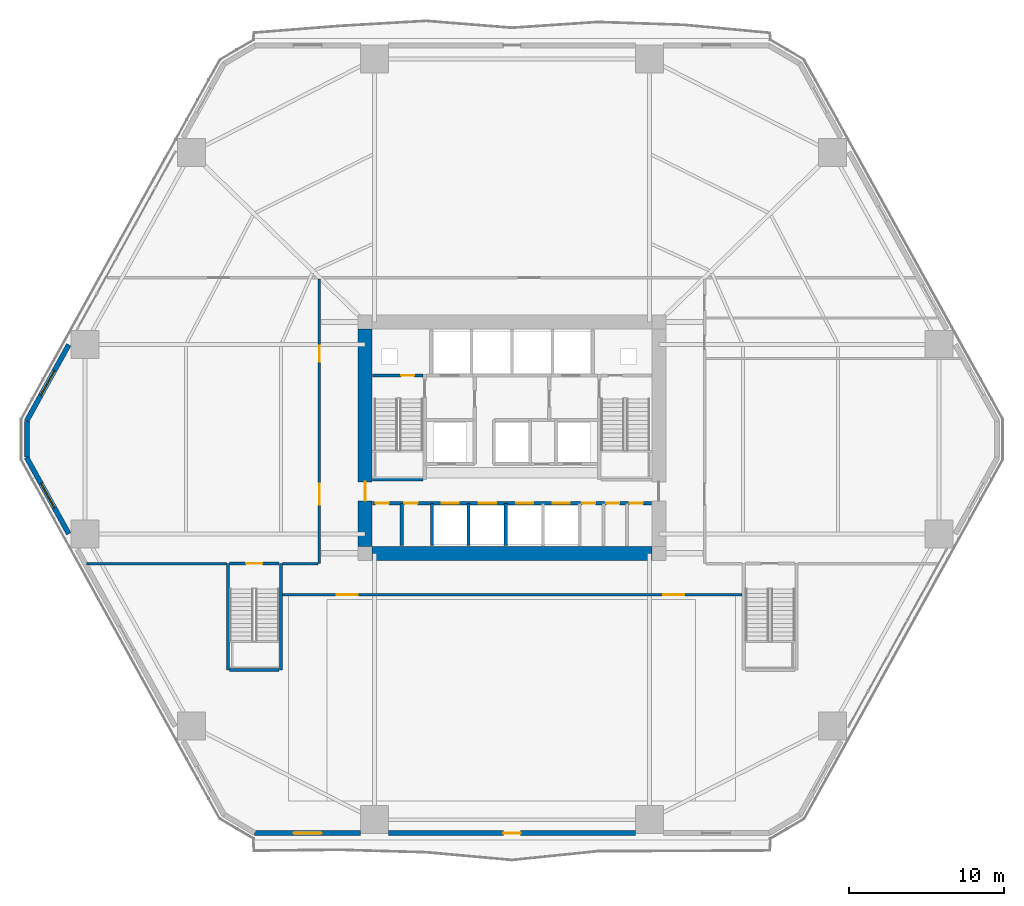
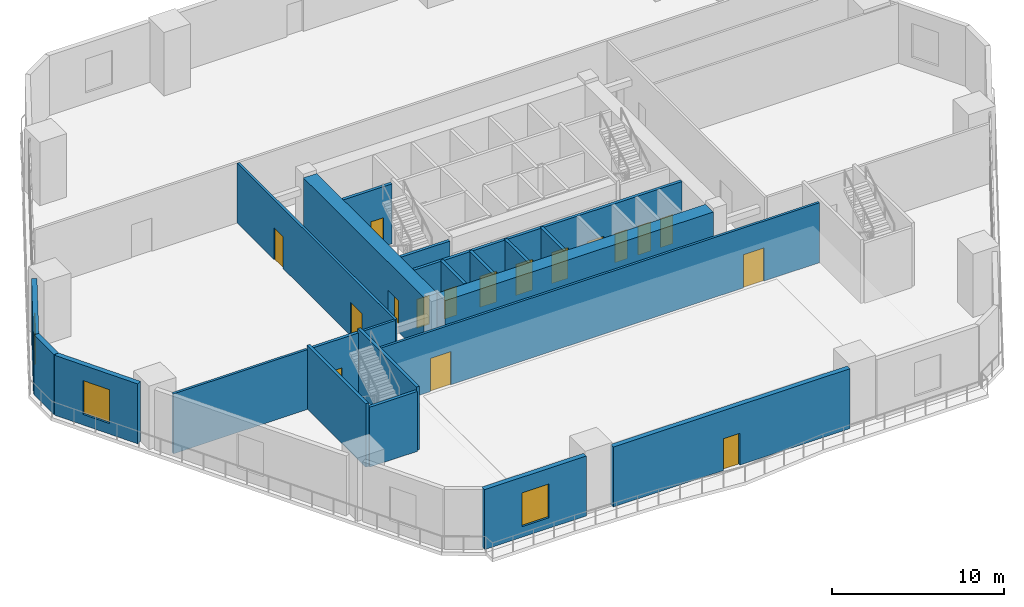
# One storey, part 9 of 18: 22 walls, 17 doors, 3 windows, 20 openings.
"""IFC4 building model written with IfcOpenShell, lengths in metres."""

from ifc_helpers import new_model, si_unit, direction, frame, frame_2d, origin, place, context, subcontext, project, spatial, rectangle, extrude, material, layer, layer_set, type_object, element, fill, save


model = new_model("IFC4")

# Units and contexts
model_context = context("Model", 3, precision=1e-05, world=origin(), true_north=direction((0.0, 1.0)))
body_context = subcontext(model_context, "Body", "Model", "MODEL_VIEW")
ifc_project = project(units=[si_unit("LENGTHUNIT", "METRE"), si_unit("AREAUNIT", "SQUARE_METRE"), si_unit("VOLUMEUNIT", "CUBIC_METRE"), si_unit("PLANEANGLEUNIT", "RADIAN"), si_unit("MASSUNIT", "GRAM", prefix="KILO")], contexts=[model_context])

# Site, building, storey
site_placement = place(None, origin())
site = spatial("IfcSite", under=ifc_project, at=site_placement, CompositionType="ELEMENT")
building_placement = place(site_placement, origin())
building = spatial("IfcBuilding", under=site, at=building_placement, Name="Cinnabar Lancet Tower", CompositionType="ELEMENT")
storey_placement = place(building_placement, frame((0.0, 0.0, 10.5)))
storey = spatial("IfcBuildingStorey", under=building, at=storey_placement, Name="L02", CompositionType="ELEMENT", Elevation=10.5)

# Wall, openings, doors
ifc_material_1 = material(Name="Acoustic twin-stud gypsum partition", Category="gypsum")
ifc_layer_1 = layer(ifc_material_1, 0.159912109375)
ifc_layer_set_1 = layer_set([ifc_layer_1], Name="Acoustic twin-stud gypsum partition")
wall_type_1 = type_object("IfcWallType", Name="ARC-WL-CORR-160", PredefinedType="PARTITIONING", material=ifc_layer_set_1)
wall_1_placement = place(storey_placement, frame((17.625, 15.800048828125, 0.0), z_axis=(0.0, 0.0, 1.0), x_axis=(1.0, 0.0, 0.0)))
wall_1 = element("IfcWall", 1, at=wall_1_placement, inside=storey, type_object=wall_type_1, Name="PW-L02-SHL", PredefinedType="PARTITIONING", context=body_context, shape_type="SweptSolid", body=[
    extrude(rectangle(XDim=29.590087890625, YDim=0.159912109375, at=frame_2d((14.794921875, 0.0))), origin(), (0.0, 0.0, 1.0), 4.25),
])
opening_1_placement = place(wall_1_placement, frame((3.5, 0.0, 0.0)))
opening_1 = element("IfcOpeningElement", 2, at=opening_1_placement, cuts=wall_1, Name="Opening UD-02", PredefinedType="OPENING", context=body_context, shape_type="SweptSolid", body=[
    extrude(rectangle(XDim=1.35009765625, YDim=2.35009765625, at=frame_2d((0.675048828125, 1.175048828125))), frame((0.0, 0.08984375, 0.0), z_axis=(0.0, -1.0, 0.0), x_axis=(1.0, 0.0, 0.0)), (0.0, 0.0, 1.0), 0.179931640625),
])
opening_2_placement = place(wall_1_placement, frame((24.5, 0.0, 0.0)))
opening_2 = element("IfcOpeningElement", 3, at=opening_2_placement, cuts=wall_1, Name="Opening UD-02", PredefinedType="OPENING", context=body_context, shape_type="SweptSolid", body=[
    extrude(rectangle(XDim=1.35009765625, YDim=2.35009765625, at=frame_2d((0.675048828125, 1.175048828125))), frame((0.0, 0.08984375, 0.0), z_axis=(0.0, -1.0, 0.0), x_axis=(1.0, 0.0, 0.0)), (0.0, 0.0, 1.0), 0.179931640625),
])
ifc_material_2 = material(Name="Double-leaf solid timber penthouse entrance door", Category="wood")
door_type_1 = type_object("IfcDoorType", Name="ARC-DR-UNIT-PH", OperationType="NOTDEFINED", PredefinedType="DOOR", material=ifc_material_2)
door_1_placement = place(opening_1_placement, origin())
door_1 = element("IfcDoor", 4, at=door_1_placement, inside=storey, type_object=door_type_1, Name="DR-L02-MAIN1", OperationType="SINGLE_SWING_LEFT", OverallHeight=2.35009765625, OverallWidth=1.35009765625, PredefinedType="DOOR", context=body_context, shape_type="SweptSolid", body=[
    extrude(rectangle(XDim=1.35009765625, YDim=2.35009765625, at=frame_2d((0.675048828125, 1.175048828125))), frame((0.0, 0.02490234375, 0.0), z_axis=(0.0, -1.0, 0.0), x_axis=(1.0, 0.0, 0.0)), (0.0, 0.0, 1.0), 0.050048828125),
])
fill(opening_1, door_1)
door_2_placement = place(opening_2_placement, origin())
door_2 = element("IfcDoor", 5, at=door_2_placement, inside=storey, type_object=door_type_1, Name="DR-L02-MAIN2", OperationType="SINGLE_SWING_RIGHT", OverallHeight=2.35009765625, OverallWidth=1.35009765625, PredefinedType="DOOR", context=body_context, shape_type="SweptSolid", body=[
    extrude(rectangle(XDim=1.35009765625, YDim=2.35009765625, at=frame_2d((0.675048828125, 1.175048828125))), frame((0.0, 0.02490234375, 0.0), z_axis=(0.0, -1.0, 0.0), x_axis=(1.0, 0.0, 0.0)), (0.0, 0.0, 1.0), 0.050048828125),
])
fill(opening_2, door_2)

# Walls
wall_2_placement = place(storey_placement, frame((17.625, 17.800048828125, 0.0), z_axis=(0.0, 0.0, 1.0), x_axis=(1.0, 0.0, 0.0)))
element("IfcWall", 6, at=wall_2_placement, inside=storey, type_object=wall_type_1, Name="PW-L02-WSTEP", PredefinedType="PARTITIONING", context=body_context, shape_type="SweptSolid", body=[
    extrude(rectangle(XDim=2.2900390625, YDim=0.159912109375, at=frame_2d((1.14501953125, 0.0))), origin(), (0.0, 0.0, 1.0), 4.25),
])
wall_3_placement = place(storey_placement, frame((5.02001953125, 17.800048828125, 0.0), z_axis=(0.0, 0.0, 1.0), x_axis=(1.0, 0.0, 0.0)))
element("IfcWall", 7, at=wall_3_placement, inside=storey, type_object=wall_type_1, Name="PW-L02-WSF", PredefinedType="PARTITIONING", context=body_context, shape_type="SweptSolid", body=[
    extrude(rectangle(XDim=8.994873046875, YDim=0.159912109375, at=frame_2d((4.49755859375, 0.0))), origin(), (0.0, 0.0, 1.0), 4.25),
])

# Wall, openings, doors
wall_4_placement = place(storey_placement, frame((20.0, 17.800048828125, 0.0), z_axis=(0.0, 0.0, 1.0), x_axis=(0.0, 1.0, 0.0)))
wall_4 = element("IfcWall", 8, at=wall_4_placement, inside=storey, type_object=wall_type_1, Name="PW-L02-WWG", PredefinedType="PARTITIONING", context=body_context, shape_type="SweptSolid", body=[
    extrude(rectangle(XDim=18.31494140625, YDim=0.159912109375, at=frame_2d((9.157470703125, 0.0))), origin(), (0.0, 0.0, 1.0), 4.25),
])
opening_3_placement = place(wall_4_placement, frame((3.800048828125, 0.0, 0.0)))
opening_3 = element("IfcOpeningElement", 9, at=opening_3_placement, cuts=wall_4, Name="Opening UD-02", PredefinedType="OPENING", context=body_context, shape_type="SweptSolid", body=[
    extrude(rectangle(XDim=1.35009765625, YDim=2.35009765625, at=frame_2d((0.675048828125, 1.175048828125))), frame((0.0, 0.08984375, 0.0), z_axis=(0.0, -1.0, 0.0), x_axis=(1.0, 0.0, 0.0)), (0.0, 0.0, 1.0), 0.179931640625),
])
opening_4_placement = place(wall_4_placement, frame((13.0, 0.0, 0.0)))
opening_4 = element("IfcOpeningElement", 10, at=opening_4_placement, cuts=wall_4, Name="Opening UD-01", PredefinedType="OPENING", context=body_context, shape_type="SweptSolid", body=[
    extrude(rectangle(XDim=1.02001953125, YDim=2.25, at=frame_2d((0.510009765625, 1.125))), frame((0.0, 0.08984375, 0.0), z_axis=(0.0, -1.0, 0.0), x_axis=(1.0, 0.0, 0.0)), (0.0, 0.0, 1.0), 0.179931640625),
])
ifc_material_3 = material(Name="Solid timber fire-rated apartment entrance door", Category="wood")
door_type_2 = type_object("IfcDoorType", Name="ARC-DR-UNIT", OperationType="NOTDEFINED", PredefinedType="DOOR", material=ifc_material_3)
door_3_placement = place(opening_4_placement, origin())
door_3 = element("IfcDoor", 11, at=door_3_placement, inside=storey, type_object=door_type_2, Name="DR-L02-WEST2", OperationType="SINGLE_SWING_RIGHT", OverallHeight=2.25, OverallWidth=1.02001953125, PredefinedType="DOOR", context=body_context, shape_type="SweptSolid", body=[
    extrude(rectangle(XDim=1.02001953125, YDim=2.25, at=frame_2d((0.510009765625, 1.125))), frame((0.0, 0.02490234375, 0.0), z_axis=(0.0, -1.0, 0.0), x_axis=(1.0, 0.0, 0.0)), (0.0, 0.0, 1.0), 0.050048828125),
])
fill(opening_4, door_3)
door_4_placement = place(opening_3_placement, origin())
door_4 = element("IfcDoor", 12, at=door_4_placement, inside=storey, type_object=door_type_1, Name="DR-L02-WEST1", OperationType="SINGLE_SWING_LEFT", OverallHeight=2.35009765625, OverallWidth=1.35009765625, PredefinedType="DOOR", context=body_context, shape_type="SweptSolid", body=[
    extrude(rectangle(XDim=1.35009765625, YDim=2.35009765625, at=frame_2d((0.675048828125, 1.175048828125))), frame((0.0, 0.02490234375, 0.0), z_axis=(0.0, -1.0, 0.0), x_axis=(1.0, 0.0, 0.0)), (0.0, 0.0, 1.0), 0.050048828125),
])
fill(opening_3, door_4)

# Wall
ifc_material_4 = material(Name="Autoclaved aerated concrete blockwork", Category="masonry")
ifc_layer_2 = layer(ifc_material_4, 0.199951171875)
ifc_layer_set_2 = layer_set([ifc_layer_2], Name="Autoclaved aerated concrete blockwork")
wall_type_2 = type_object("IfcWallType", Name="ARC-WL-SHAFT-200", PredefinedType="PLUMBINGWALL", material=ifc_layer_set_2)
wall_5_placement = place(storey_placement, frame((23.405029296875, 23.199951171875, 0.0), z_axis=(0.0, 0.0, 1.0), x_axis=(1.0, 0.0, 0.0)))
element("IfcWall", 13, at=wall_5_placement, inside=storey, type_object=wall_type_2, Name="CW-ST1S-L02", PredefinedType="PLUMBINGWALL", context=body_context, shape_type="SweptSolid", body=[
    extrude(rectangle(XDim=3.27001953125, YDim=0.199951171875, at=frame_2d((1.635009765625, 0.0))), origin(), (0.0, 0.0, 1.0), 4.25),
])

# Wall, opening, door
wall_6_placement = place(storey_placement, frame((23.405029296875, 29.89990234375, 0.0), z_axis=(0.0, 0.0, 1.0), x_axis=(1.0, 0.0, 0.0)))
wall_6 = element("IfcWall", 14, at=wall_6_placement, inside=storey, type_object=wall_type_2, Name="CW-NSH-W-L02", PredefinedType="PLUMBINGWALL", context=body_context, shape_type="SweptSolid", body=[
    extrude(rectangle(XDim=3.27001953125, YDim=0.199951171875, at=frame_2d((1.635009765625, 0.0))), origin(), (0.0, 0.0, 1.0), 4.25),
])
opening_5_placement = place(wall_6_placement, frame((1.85009765625, 0.0, 0.0)))
opening_5 = element("IfcOpeningElement", 15, at=opening_5_placement, cuts=wall_6, Name="Opening PD-02", PredefinedType="OPENING", context=body_context, shape_type="SweptSolid", body=[
    extrude(rectangle(XDim=0.85009765625, YDim=2.050048828125, at=frame_2d((0.425048828125, 1.02490234375))), frame((0.0, 0.10986328125, 0.0), z_axis=(0.0, -1.0, 0.0), x_axis=(1.0, 0.0, 0.0)), (0.0, 0.0, 1.0), 0.219970703125),
])
ifc_material_5 = material(Name="Fire-rated steel riser access door", Category="steel")
door_type_3 = type_object("IfcDoorType", Name="ARC-DR-RISER", OperationType="NOTDEFINED", PredefinedType="DOOR", material=ifc_material_5)
door_5_placement = place(opening_5_placement, origin())
door_5 = element("IfcDoor", 16, at=door_5_placement, inside=storey, type_object=door_type_3, Name="L02 West Riser Access Door", OperationType="SINGLE_SWING_LEFT", OverallHeight=2.050048828125, OverallWidth=0.85009765625, PredefinedType="DOOR", context=body_context, shape_type="SweptSolid", body=[
    extrude(rectangle(XDim=0.85009765625, YDim=2.050048828125, at=frame_2d((0.425048828125, 1.02490234375))), frame((0.0, 0.02490234375, 0.0), z_axis=(0.0, -1.0, 0.0), x_axis=(1.0, 0.0, 0.0)), (0.0, 0.0, 1.0), 0.050048828125),
])
fill(opening_5, door_5)

# Wall, openings, doors
wall_7_placement = place(storey_placement, frame((23.419921875, 21.679931640625, 0.0), z_axis=(0.0, 0.0, 1.0), x_axis=(1.0, 0.0, 0.0)))
wall_7 = element("IfcWall", 17, at=wall_7_placement, inside=storey, type_object=wall_type_2, Name="CW-SBANDN-L02", PredefinedType="PLUMBINGWALL", context=body_context, shape_type="SweptSolid", body=[
    extrude(rectangle(XDim=17.9599609375, YDim=0.199951171875, at=frame_2d((8.97998046875, 0.0))), origin(), (0.0, 0.0, 1.0), 4.25),
])
opening_6_placement = place(wall_7_placement, frame((4.449951171875, 0.0, 0.0)))
opening_6 = element("IfcOpeningElement", 18, at=opening_6_placement, cuts=wall_7, Name="Opening LD-01", PredefinedType="OPENING", context=body_context, shape_type="SweptSolid", body=[
    extrude(rectangle(XDim=1.10009765625, YDim=2.199951171875, at=frame_2d((0.550048828125, 1.10009765625))), frame((0.0, 0.10986328125, 0.0), z_axis=(0.0, -1.0, 0.0), x_axis=(1.0, 0.0, 0.0)), (0.0, 0.0, 1.0), 0.219970703125),
])
opening_7_placement = place(wall_7_placement, frame((6.85009765625, 0.0, 0.0)))
opening_7 = element("IfcOpeningElement", 19, at=opening_7_placement, cuts=wall_7, Name="Opening LD-01", PredefinedType="OPENING", context=body_context, shape_type="SweptSolid", body=[
    extrude(rectangle(XDim=1.10009765625, YDim=2.199951171875, at=frame_2d((0.550048828125, 1.10009765625))), frame((0.0, 0.10986328125, 0.0), z_axis=(0.0, -1.0, 0.0), x_axis=(1.0, 0.0, 0.0)), (0.0, 0.0, 1.0), 0.219970703125),
])
opening_8_placement = place(wall_7_placement, frame((9.25, 0.0, 0.0)))
opening_8 = element("IfcOpeningElement", 20, at=opening_8_placement, cuts=wall_7, Name="Opening LD-01", PredefinedType="OPENING", context=body_context, shape_type="SweptSolid", body=[
    extrude(rectangle(XDim=1.10009765625, YDim=2.199951171875, at=frame_2d((0.550048828125, 1.10009765625))), frame((0.0, 0.10986328125, 0.0), z_axis=(0.0, -1.0, 0.0), x_axis=(1.0, 0.0, 0.0)), (0.0, 0.0, 1.0), 0.219970703125),
])
opening_9_placement = place(wall_7_placement, frame((11.60009765625, 0.0, 0.0)))
opening_9 = element("IfcOpeningElement", 21, at=opening_9_placement, cuts=wall_7, Name="Opening LD-01", PredefinedType="OPENING", context=body_context, shape_type="SweptSolid", body=[
    extrude(rectangle(XDim=1.10009765625, YDim=2.199951171875, at=frame_2d((0.550048828125, 1.10009765625))), frame((0.0, 0.10986328125, 0.0), z_axis=(0.0, -1.0, 0.0), x_axis=(1.0, 0.0, 0.0)), (0.0, 0.0, 1.0), 0.219970703125),
])
opening_10_placement = place(wall_7_placement, frame((0.199951171875, 0.0, 0.0)))
opening_10 = element("IfcOpeningElement", 22, at=opening_10_placement, cuts=wall_7, Name="Opening PD-02", PredefinedType="OPENING", context=body_context, shape_type="SweptSolid", body=[
    extrude(rectangle(XDim=0.85009765625, YDim=2.050048828125, at=frame_2d((0.425048828125, 1.02490234375))), frame((0.0, 0.10986328125, 0.0), z_axis=(0.0, -1.0, 0.0), x_axis=(1.0, 0.0, 0.0)), (0.0, 0.0, 1.0), 0.219970703125),
])
opening_11_placement = place(wall_7_placement, frame((2.050048828125, 0.0, 0.0)))
opening_11 = element("IfcOpeningElement", 23, at=opening_11_placement, cuts=wall_7, Name="Opening PD-02", PredefinedType="OPENING", context=body_context, shape_type="SweptSolid", body=[
    extrude(rectangle(XDim=0.85009765625, YDim=2.050048828125, at=frame_2d((0.425048828125, 1.02490234375))), frame((0.0, 0.10986328125, 0.0), z_axis=(0.0, -1.0, 0.0), x_axis=(1.0, 0.0, 0.0)), (0.0, 0.0, 1.0), 0.219970703125),
])
opening_12_placement = place(wall_7_placement, frame((13.5, 0.0, 0.0)))
opening_12 = element("IfcOpeningElement", 24, at=opening_12_placement, cuts=wall_7, Name="Opening PD-02", PredefinedType="OPENING", context=body_context, shape_type="SweptSolid", body=[
    extrude(rectangle(XDim=0.85009765625, YDim=2.050048828125, at=frame_2d((0.425048828125, 1.02490234375))), frame((0.0, 0.10986328125, 0.0), z_axis=(0.0, -1.0, 0.0), x_axis=(1.0, 0.0, 0.0)), (0.0, 0.0, 1.0), 0.219970703125),
])
opening_13_placement = place(wall_7_placement, frame((15.050048828125, 0.0, 0.0)))
opening_13 = element("IfcOpeningElement", 25, at=opening_13_placement, cuts=wall_7, Name="Opening PD-02", PredefinedType="OPENING", context=body_context, shape_type="SweptSolid", body=[
    extrude(rectangle(XDim=0.85009765625, YDim=2.050048828125, at=frame_2d((0.425048828125, 1.02490234375))), frame((0.0, 0.10986328125, 0.0), z_axis=(0.0, -1.0, 0.0), x_axis=(1.0, 0.0, 0.0)), (0.0, 0.0, 1.0), 0.219970703125),
])
opening_14_placement = place(wall_7_placement, frame((16.550048828125, 0.0, 0.0)))
opening_14 = element("IfcOpeningElement", 26, at=opening_14_placement, cuts=wall_7, Name="Opening PD-02", PredefinedType="OPENING", context=body_context, shape_type="SweptSolid", body=[
    extrude(rectangle(XDim=0.85009765625, YDim=2.050048828125, at=frame_2d((0.425048828125, 1.02490234375))), frame((0.0, 0.10986328125, 0.0), z_axis=(0.0, -1.0, 0.0), x_axis=(1.0, 0.0, 0.0)), (0.0, 0.0, 1.0), 0.219970703125),
])
ifc_material_6 = material(Name="Brushed stainless steel sliding lift door", Category="steel")
door_type_4 = type_object("IfcDoorType", Name="ARC-DR-LD-PASS", OperationType="NOTDEFINED", PredefinedType="DOOR", material=ifc_material_6)
door_6_placement = place(opening_6_placement, origin())
door_6 = element("IfcDoor", 27, at=door_6_placement, inside=storey, type_object=door_type_4, Name="L02 Lift PL-1 Landing Door", OperationType="DOUBLE_DOOR_SLIDING", OverallHeight=2.199951171875, OverallWidth=1.10009765625, PredefinedType="DOOR", context=body_context, shape_type="SweptSolid", body=[
    extrude(rectangle(XDim=1.10009765625, YDim=2.199951171875, at=frame_2d((0.550048828125, 1.10009765625))), frame((0.0, 0.02490234375, 0.0), z_axis=(0.0, -1.0, 0.0), x_axis=(1.0, 0.0, 0.0)), (0.0, 0.0, 1.0), 0.050048828125),
])
fill(opening_6, door_6)
door_7_placement = place(opening_7_placement, origin())
door_7 = element("IfcDoor", 28, at=door_7_placement, inside=storey, type_object=door_type_4, Name="L02 Lift PL-2 Landing Door", OperationType="DOUBLE_DOOR_SLIDING", OverallHeight=2.199951171875, OverallWidth=1.10009765625, PredefinedType="DOOR", context=body_context, shape_type="SweptSolid", body=[
    extrude(rectangle(XDim=1.10009765625, YDim=2.199951171875, at=frame_2d((0.550048828125, 1.10009765625))), frame((0.0, 0.02490234375, 0.0), z_axis=(0.0, -1.0, 0.0), x_axis=(1.0, 0.0, 0.0)), (0.0, 0.0, 1.0), 0.050048828125),
])
fill(opening_7, door_7)
door_8_placement = place(opening_8_placement, origin())
door_8 = element("IfcDoor", 29, at=door_8_placement, inside=storey, type_object=door_type_4, Name="L02 Lift PL-3 Landing Door", OperationType="DOUBLE_DOOR_SLIDING", OverallHeight=2.199951171875, OverallWidth=1.10009765625, PredefinedType="DOOR", context=body_context, shape_type="SweptSolid", body=[
    extrude(rectangle(XDim=1.10009765625, YDim=2.199951171875, at=frame_2d((0.550048828125, 1.10009765625))), frame((0.0, 0.02490234375, 0.0), z_axis=(0.0, -1.0, 0.0), x_axis=(1.0, 0.0, 0.0)), (0.0, 0.0, 1.0), 0.050048828125),
])
fill(opening_8, door_8)
door_9_placement = place(opening_9_placement, origin())
door_9 = element("IfcDoor", 30, at=door_9_placement, inside=storey, type_object=door_type_4, Name="L02 Lift PL-4 Landing Door", OperationType="DOUBLE_DOOR_SLIDING", OverallHeight=2.199951171875, OverallWidth=1.10009765625, PredefinedType="DOOR", context=body_context, shape_type="SweptSolid", body=[
    extrude(rectangle(XDim=1.10009765625, YDim=2.199951171875, at=frame_2d((0.550048828125, 1.10009765625))), frame((0.0, 0.02490234375, 0.0), z_axis=(0.0, -1.0, 0.0), x_axis=(1.0, 0.0, 0.0)), (0.0, 0.0, 1.0), 0.050048828125),
])
fill(opening_9, door_9)
door_10_placement = place(opening_10_placement, origin())
door_10 = element("IfcDoor", 31, at=door_10_placement, inside=storey, type_object=door_type_3, Name="DR-L02-SC2-1", OperationType="SINGLE_SWING_LEFT", OverallHeight=2.050048828125, OverallWidth=0.85009765625, PredefinedType="DOOR", context=body_context, shape_type="SweptSolid", body=[
    extrude(rectangle(XDim=0.85009765625, YDim=2.050048828125, at=frame_2d((0.425048828125, 1.02490234375))), frame((0.0, 0.02490234375, 0.0), z_axis=(0.0, -1.0, 0.0), x_axis=(1.0, 0.0, 0.0)), (0.0, 0.0, 1.0), 0.050048828125),
])
fill(opening_10, door_10)
door_11_placement = place(opening_11_placement, origin())
door_11 = element("IfcDoor", 32, at=door_11_placement, inside=storey, type_object=door_type_3, Name="DR-L02-SC2-2", OperationType="SINGLE_SWING_RIGHT", OverallHeight=2.050048828125, OverallWidth=0.85009765625, PredefinedType="DOOR", context=body_context, shape_type="SweptSolid", body=[
    extrude(rectangle(XDim=0.85009765625, YDim=2.050048828125, at=frame_2d((0.425048828125, 1.02490234375))), frame((0.0, 0.02490234375, 0.0), z_axis=(0.0, -1.0, 0.0), x_axis=(1.0, 0.0, 0.0)), (0.0, 0.0, 1.0), 0.050048828125),
])
fill(opening_11, door_11)
door_12_placement = place(opening_12_placement, origin())
door_12 = element("IfcDoor", 33, at=door_12_placement, inside=storey, type_object=door_type_3, Name="DR-L02-SC2-3", OperationType="SINGLE_SWING_LEFT", OverallHeight=2.050048828125, OverallWidth=0.85009765625, PredefinedType="DOOR", context=body_context, shape_type="SweptSolid", body=[
    extrude(rectangle(XDim=0.85009765625, YDim=2.050048828125, at=frame_2d((0.425048828125, 1.02490234375))), frame((0.0, 0.02490234375, 0.0), z_axis=(0.0, -1.0, 0.0), x_axis=(1.0, 0.0, 0.0)), (0.0, 0.0, 1.0), 0.050048828125),
])
fill(opening_12, door_12)
door_13_placement = place(opening_13_placement, origin())
door_13 = element("IfcDoor", 34, at=door_13_placement, inside=storey, type_object=door_type_3, Name="DR-L02-SC2-4", OperationType="SINGLE_SWING_RIGHT", OverallHeight=2.050048828125, OverallWidth=0.85009765625, PredefinedType="DOOR", context=body_context, shape_type="SweptSolid", body=[
    extrude(rectangle(XDim=0.85009765625, YDim=2.050048828125, at=frame_2d((0.425048828125, 1.02490234375))), frame((0.0, 0.02490234375, 0.0), z_axis=(0.0, -1.0, 0.0), x_axis=(1.0, 0.0, 0.0)), (0.0, 0.0, 1.0), 0.050048828125),
])
fill(opening_13, door_13)
door_14_placement = place(opening_14_placement, origin())
door_14 = element("IfcDoor", 35, at=door_14_placement, inside=storey, type_object=door_type_3, Name="DR-L02-SC2-5", OperationType="SINGLE_SWING_LEFT", OverallHeight=2.050048828125, OverallWidth=0.85009765625, PredefinedType="DOOR", context=body_context, shape_type="SweptSolid", body=[
    extrude(rectangle(XDim=0.85009765625, YDim=2.050048828125, at=frame_2d((0.425048828125, 1.02490234375))), frame((0.0, 0.02490234375, 0.0), z_axis=(0.0, -1.0, 0.0), x_axis=(1.0, 0.0, 0.0)), (0.0, 0.0, 1.0), 0.050048828125),
])
fill(opening_14, door_14)

# Walls
for number, where, z_axis, x_axis, name in (
    (36, (27.25, 18.949951171875, 0.0), (0.0, 0.0, 1.0), (0.0, 1.0, 0.0), "CW-SB-2725-L02"),
    (37, (29.60009765625, 18.949951171875, 0.0), (0.0, 0.0, 1.0), (0.0, 1.0, 0.0), "CW-SB-2960-L02"),
    (38, (32.0, 18.949951171875, 0.0), (0.0, 0.0, 1.0), (0.0, 1.0, 0.0), "CW-SB-3200-L02"),
    (39, (25.300048828125, 18.949951171875, 0.0), (0.0, 0.0, 1.0), (0.0, 1.0, 0.0), "CW-SBC2-253-L02"),
):
    element("IfcWall", number, at=place(storey_placement, frame(where, z_axis=z_axis, x_axis=x_axis)), inside=storey, type_object=wall_type_2, Name=name, PredefinedType="PLUMBINGWALL", context=body_context, shape_type="SweptSolid", body=[
        extrude(rectangle(XDim=2.72998046875, YDim=0.199951171875, at=frame_2d((1.364990234375, 0.0))), origin(), (0.0, 0.0, 1.0), 4.25),
    ])
wall_8_placement = place(storey_placement, frame((14.22509765625, 10.949951171875, 0.0), z_axis=(0.0, 0.0, 1.0), x_axis=(1.0, 0.0, 0.0)))
element("IfcWall", 40, at=wall_8_placement, inside=storey, type_object=wall_type_2, Name="PW-ST3S-L02", PredefinedType="PLUMBINGWALL", context=body_context, shape_type="SweptSolid", body=[
    extrude(rectangle(XDim=3.18994140625, YDim=0.199951171875, at=frame_2d((1.594970703125, 0.0))), origin(), (0.0, 0.0, 1.0), 4.25),
])

# Wall, opening, door
wall_9_placement = place(storey_placement, frame((14.22509765625, 17.800048828125, 0.0), z_axis=(0.0, 0.0, 1.0), x_axis=(1.0, 0.0, 0.0)))
wall_9 = element("IfcWall", 41, at=wall_9_placement, inside=storey, type_object=wall_type_2, Name="PW-ST3N-L02", PredefinedType="PLUMBINGWALL", context=body_context, shape_type="SweptSolid", body=[
    extrude(rectangle(XDim=3.18994140625, YDim=0.199951171875, at=frame_2d((1.594970703125, 0.0))), origin(), (0.0, 0.0, 1.0), 4.25),
])
opening_15_placement = place(wall_9_placement, frame((1.050048828125, 0.0, 0.0)))
opening_15 = element("IfcOpeningElement", 42, at=opening_15_placement, cuts=wall_9, Name="Opening SD-01", PredefinedType="OPENING", context=body_context, shape_type="SweptSolid", body=[
    extrude(rectangle(XDim=1.050048828125, YDim=2.14990234375, at=frame_2d((0.52490234375, 1.074951171875))), frame((0.0, 0.10986328125, 0.0), z_axis=(0.0, -1.0, 0.0), x_axis=(1.0, 0.0, 0.0)), (0.0, 0.0, 1.0), 0.219970703125),
])
ifc_material_7 = material(Name="Fire-rated steel stair exit door", Category="steel")
door_type_5 = type_object("IfcDoorType", Name="ARC-DR-STAIR", OperationType="NOTDEFINED", PredefinedType="DOOR", material=ifc_material_7)
door_15_placement = place(opening_15_placement, origin())
door_15 = element("IfcDoor", 43, at=door_15_placement, inside=storey, type_object=door_type_5, Name="L02 Podium Stair ST-3 Fire Door", OperationType="SINGLE_SWING_LEFT", OverallHeight=2.14990234375, OverallWidth=1.050048828125, PredefinedType="DOOR", context=body_context, shape_type="SweptSolid", body=[
    extrude(rectangle(XDim=1.050048828125, YDim=2.14990234375, at=frame_2d((0.52490234375, 1.074951171875))), frame((0.0, 0.02490234375, 0.0), z_axis=(0.0, -1.0, 0.0), x_axis=(1.0, 0.0, 0.0)), (0.0, 0.0, 1.0), 0.050048828125),
])
fill(opening_15, door_15)

# Wall
ifc_material_8 = material(Name="Warm buff clay brick", Category="masonry")
ifc_layer_3 = layer(ifc_material_8, 0.320068359375)
ifc_layer_set_3 = layer_set([ifc_layer_3], Name="Warm buff clay brick")
wall_type_3 = type_object("IfcWallType", Name="ENV-WL-BRK-BUF-320", PredefinedType="STANDARD", material=ifc_layer_set_3)
wall_10_placement = place(storey_placement, frame((1.1650390625, 26.9541015625, 0.0), z_axis=(0.0, 0.0, 1.0), x_axis=(0.0, -1.0, 0.0)))
element("IfcWall", 44, at=wall_10_placement, inside=storey, type_object=wall_type_3, Name="L02 Chamfered Corner Brick Pier 6.1", PredefinedType="STANDARD", context=body_context, shape_type="SweptSolid", body=[
    extrude(rectangle(XDim=2.30810546875, YDim=0.320068359375, at=frame_2d((1.154052734375, 0.0))), origin(), (0.0, 0.0, 1.0), 4.25),
])

# Wall, opening, window
wall_11_placement = place(storey_placement, frame((15.83203125, 0.43994140625, 0.0), z_axis=(0.0, 0.0, 1.0), x_axis=(1.0, 0.0, 0.0)))
wall_11 = element("IfcWall", 45, at=wall_11_placement, inside=storey, type_object=wall_type_3, Name="L02 Face 1 Masonry Bay Wall 1", PredefinedType="STANDARD", context=body_context, shape_type="SweptSolid", body=[
    extrude(rectangle(XDim=6.81884765625, YDim=0.320068359375, at=frame_2d((3.409423828125, 0.0))), origin(), (0.0, 0.0, 1.0), 4.25),
])
opening_16_placement = place(wall_11_placement, frame((2.509033203125, 0.0, 0.75)))
opening_16 = element("IfcOpeningElement", 46, at=opening_16_placement, cuts=wall_11, Name="Opening WN-05", PredefinedType="OPENING", context=body_context, shape_type="SweptSolid", body=[
    extrude(rectangle(XDim=1.800048828125, YDim=2.39990234375, at=frame_2d((0.89990234375, 1.199951171875))), frame((0.0, 0.169921875, 0.0), z_axis=(0.0, -1.0, 0.0), x_axis=(1.0, 0.0, 0.0)), (0.0, 0.0, 1.0), 0.340087890625),
])
ifc_material_9 = material(Name="Thermally broken bronze-anodized aluminium podium lancet window", Category="aluminium")
window_type = type_object("IfcWindowType", Name="ENV-WN-POD-1800", PartitioningType="SINGLE_PANEL", PredefinedType="WINDOW", material=ifc_material_9)
window_1_placement = place(opening_16_placement, origin())
window_1 = element("IfcWindow", 47, at=window_1_placement, inside=storey, type_object=window_type, Name="L02 Face 1 Gothic Lancet Window 1", OverallHeight=2.39990234375, OverallWidth=1.800048828125, PartitioningType="SINGLE_PANEL", PredefinedType="WINDOW", context=body_context, shape_type="SweptSolid", body=[
    extrude(rectangle(XDim=1.800048828125, YDim=2.39990234375, at=frame_2d((0.89990234375, 1.199951171875))), frame((0.0, 0.030029296875, 0.0), z_axis=(0.0, -1.0, 0.0), x_axis=(1.0, 0.0, 0.0)), (0.0, 0.0, 1.0), 0.06005859375),
])
fill(opening_16, window_1)

# Wall, opening, door
wall_12_placement = place(storey_placement, frame((24.458984375, 0.43994140625, 0.0), z_axis=(0.0, 0.0, 1.0), x_axis=(1.0, 0.0, 0.0)))
wall_12 = element("IfcWall", 48, at=wall_12_placement, inside=storey, type_object=wall_type_3, Name="L02 Face 1 Masonry Bay Wall 2", PredefinedType="STANDARD", context=body_context, shape_type="SweptSolid", body=[
    extrude(rectangle(XDim=15.882080078125, YDim=0.320068359375, at=frame_2d((7.94091796875, 0.0))), origin(), (0.0, 0.0, 1.0), 4.25),
])
opening_17_placement = place(wall_12_placement, frame((7.39111328125, 0.0, 0.0)))
opening_17 = element("IfcOpeningElement", 49, at=opening_17_placement, cuts=wall_12, Name="Opening TD-01", PredefinedType="OPENING", context=body_context, shape_type="SweptSolid", body=[
    extrude(rectangle(XDim=1.10009765625, YDim=2.25, at=frame_2d((0.550048828125, 1.125))), frame((0.0, 0.169921875, 0.0), z_axis=(0.0, -1.0, 0.0), x_axis=(1.0, 0.0, 0.0)), (0.0, 0.0, 1.0), 0.340087890625),
])
ifc_material_10 = material(Name="Thermally broken low-E glazed balcony terrace door", Category="wood")
door_type_6 = type_object("IfcDoorType", Name="ARC-DR-BALC", OperationType="NOTDEFINED", PredefinedType="DOOR", material=ifc_material_10)
door_16_placement = place(opening_17_placement, origin())
door_16 = element("IfcDoor", 50, at=door_16_placement, inside=storey, type_object=door_type_6, Name="L02 Face 1 Glazed Terrace Door", OperationType="SINGLE_SWING_RIGHT", OverallHeight=2.25, OverallWidth=1.10009765625, PredefinedType="DOOR", context=body_context, shape_type="SweptSolid", body=[
    extrude(rectangle(XDim=1.10009765625, YDim=2.25, at=frame_2d((0.550048828125, 1.125))), frame((0.0, 0.02490234375, 0.0), z_axis=(0.0, -1.0, 0.0), x_axis=(1.0, 0.0, 0.0)), (0.0, 0.0, 1.0), 0.050048828125),
])
fill(opening_17, door_16)

# Wall, opening, window
wall_13_placement = place(storey_placement, frame((3.865966796875, 31.887939453125, 0.0), z_axis=(0.0, 0.0, 1.0), x_axis=(-0.483638013798, -0.875268114128, 0.0)))
wall_13 = element("IfcWall", 51, at=wall_13_placement, inside=storey, type_object=wall_type_3, Name="L02 Face 5 Masonry Bay Wall 3", PredefinedType="STANDARD", context=body_context, shape_type="SweptSolid", body=[
    extrude(rectangle(XDim=5.6279296875, YDim=0.320068359375, at=frame_2d((2.81396484375, 0.0))), origin(), (0.0, 0.0, 1.0), 4.25),
])
opening_18_placement = place(wall_13_placement, frame((1.9140625, 0.0, 0.75)))
opening_18 = element("IfcOpeningElement", 52, at=opening_18_placement, cuts=wall_13, Name="Opening WN-05", PredefinedType="OPENING", context=body_context, shape_type="SweptSolid", body=[
    extrude(rectangle(XDim=1.800048828125, YDim=2.39990234375, at=frame_2d((0.89990234375, 1.199951171875))), frame((0.0, 0.169921875, 0.0), z_axis=(0.0, -1.0, 0.0), x_axis=(1.0, 0.0, 0.0)), (0.0, 0.0, 1.0), 0.340087890625),
])
window_2_placement = place(opening_18_placement, origin())
window_2 = element("IfcWindow", 53, at=window_2_placement, inside=storey, type_object=window_type, Name="L02 Face 5 Gothic Lancet Window 3", OverallHeight=2.39990234375, OverallWidth=1.800048828125, PartitioningType="SINGLE_PANEL", PredefinedType="WINDOW", context=body_context, shape_type="SweptSolid", body=[
    extrude(rectangle(XDim=1.800048828125, YDim=2.39990234375, at=frame_2d((0.89990234375, 1.199951171875))), frame((0.0, 0.030029296875, 0.0), z_axis=(0.0, -1.0, 0.0), x_axis=(1.0, 0.0, 0.0)), (0.0, 0.0, 1.0), 0.06005859375),
])
fill(opening_18, window_2)

wall_14_placement = place(storey_placement, frame((1.14404296875, 24.637939453125, 0.0), z_axis=(0.0, 0.0, 1.0), x_axis=(0.483638013798, -0.875268114128, 0.0)))
wall_14 = element("IfcWall", 54, at=wall_14_placement, inside=storey, type_object=wall_type_3, Name="L02 Face 6 Masonry Bay Wall 1", PredefinedType="STANDARD", context=body_context, shape_type="SweptSolid", body=[
    extrude(rectangle(XDim=5.6279296875, YDim=0.320068359375, at=frame_2d((2.81396484375, 0.0))), origin(), (0.0, 0.0, 1.0), 4.25),
])
opening_19_placement = place(wall_14_placement, frame((1.9140625, 0.0, 0.75)))
opening_19 = element("IfcOpeningElement", 55, at=opening_19_placement, cuts=wall_14, Name="Opening WN-05", PredefinedType="OPENING", context=body_context, shape_type="SweptSolid", body=[
    extrude(rectangle(XDim=1.800048828125, YDim=2.39990234375, at=frame_2d((0.89990234375, 1.199951171875))), frame((0.0, 0.169921875, 0.0), z_axis=(0.0, -1.0, 0.0), x_axis=(1.0, 0.0, 0.0)), (0.0, 0.0, 1.0), 0.340087890625),
])
window_3_placement = place(opening_19_placement, origin())
window_3 = element("IfcWindow", 56, at=window_3_placement, inside=storey, type_object=window_type, Name="L02 Face 6 Gothic Lancet Window 1", OverallHeight=2.39990234375, OverallWidth=1.800048828125, PartitioningType="SINGLE_PANEL", PredefinedType="WINDOW", context=body_context, shape_type="SweptSolid", body=[
    extrude(rectangle(XDim=1.800048828125, YDim=2.39990234375, at=frame_2d((0.89990234375, 1.199951171875))), frame((0.0, 0.030029296875, 0.0), z_axis=(0.0, -1.0, 0.0), x_axis=(1.0, 0.0, 0.0)), (0.0, 0.0, 1.0), 0.06005859375),
])
fill(opening_19, window_3)

# Wall
ifc_material_11 = material(Name="Concrete C80/95", Category="concrete")
ifc_layer_4 = layer(ifc_material_11, 0.89990234375)
ifc_layer_set_4 = layer_set([ifc_layer_4], Name="Concrete C80/95")
wall_type_4 = type_object("IfcWallType", Name="STR-WL-CORE-900", PredefinedType="SHEAR", material=ifc_layer_set_4)
wall_15_placement = place(storey_placement, frame((23.39990234375, 18.449951171875, 0.0), z_axis=(0.0, 0.0, 1.0), x_axis=(1.0, 0.0, 0.0)))
element("IfcWall", 57, at=wall_15_placement, inside=storey, type_object=wall_type_4, Name="L02 Core Shear Wall S", PredefinedType="SHEAR", context=body_context, shape_type="SweptSolid", body=[
    extrude(rectangle(XDim=18.0, YDim=0.89990234375, at=frame_2d((9.0, 0.0))), origin(), (0.0, 0.0, 1.0), 4.25),
])

# Wall, opening, door
wall_16_placement = place(storey_placement, frame((22.949951171875, 18.89990234375, 0.0), z_axis=(0.0, 0.0, 1.0), x_axis=(0.0, 1.0, 0.0)))
wall_16 = element("IfcWall", 58, at=wall_16_placement, inside=storey, type_object=wall_type_4, Name="L02 Core Shear Wall W", PredefinedType="SHEAR", context=body_context, shape_type="SweptSolid", body=[
    extrude(rectangle(XDim=14.0, YDim=0.89990234375, at=frame_2d((7.0, 0.0))), origin(), (0.0, 0.0, 1.0), 4.25),
])
opening_20_placement = place(wall_16_placement, frame((2.93994140625, 0.0, 0.0)))
opening_20 = element("IfcOpeningElement", 59, at=opening_20_placement, cuts=wall_16, Name="Opening FD-02", PredefinedType="OPENING", context=body_context, shape_type="SweptSolid", body=[
    extrude(rectangle(XDim=1.219970703125, YDim=2.25, at=frame_2d((0.60986328125, 1.125))), frame((0.0, 0.4599609375, 0.0), z_axis=(0.0, -1.0, 0.0), x_axis=(1.0, 0.0, 0.0)), (0.0, 0.0, 1.0), 0.919921875),
])
ifc_material_12 = material(Name="Fire-rated double-vision core portal door", Category="wood")
door_type_7 = type_object("IfcDoorType", Name="ARC-DR-CPORT", OperationType="NOTDEFINED", PredefinedType="DOOR", material=ifc_material_12)
door_17_placement = place(opening_20_placement, origin())
door_17 = element("IfcDoor", 60, at=door_17_placement, inside=storey, type_object=door_type_7, Name="L02 West Core Lobby Fire Door", OperationType="SINGLE_SWING_RIGHT", OverallHeight=2.25, OverallWidth=1.219970703125, PredefinedType="DOOR", context=body_context, shape_type="SweptSolid", body=[
    extrude(rectangle(XDim=1.219970703125, YDim=2.25, at=frame_2d((0.60986328125, 1.125))), frame((0.0, 0.02490234375, 0.0), z_axis=(0.0, -1.0, 0.0), x_axis=(1.0, 0.0, 0.0)), (0.0, 0.0, 1.0), 0.050048828125),
])
fill(opening_20, door_17)

# Walls
ifc_material_13 = material(Name="Concrete C50/60", Category="concrete")
ifc_layer_5 = layer(ifc_material_13, 0.199951171875)
ifc_layer_set_5 = layer_set([ifc_layer_5], Name="Concrete C50/60")
wall_type_5 = type_object("IfcWallType", Name="STR-WL-STAIR-200", PredefinedType="SHEAR", material=ifc_layer_set_5)
for number, where, z_axis, x_axis, name in (
    (61, (14.1201171875, 10.949951171875, 0.0), (0.0, 0.0, 1.0), (0.0, 1.0, 0.0), "L02 Stair ST3 West Structural Wall"),
    (62, (17.52001953125, 10.949951171875, 0.0), (0.0, 0.0, 1.0), (0.0, 1.0, 0.0), "L02 Stair ST3 East Structural Wall"),
):
    element("IfcWall", number, at=place(storey_placement, frame(where, z_axis=z_axis, x_axis=x_axis)), inside=storey, type_object=wall_type_5, Name=name, PredefinedType="SHEAR", context=body_context, shape_type="SweptSolid", body=[
        extrude(rectangle(XDim=6.85009765625, YDim=0.199951171875, at=frame_2d((3.425048828125, 0.0))), origin(), (0.0, 0.0, 1.0), 4.5),
    ])

save(model, "model.ifc")
